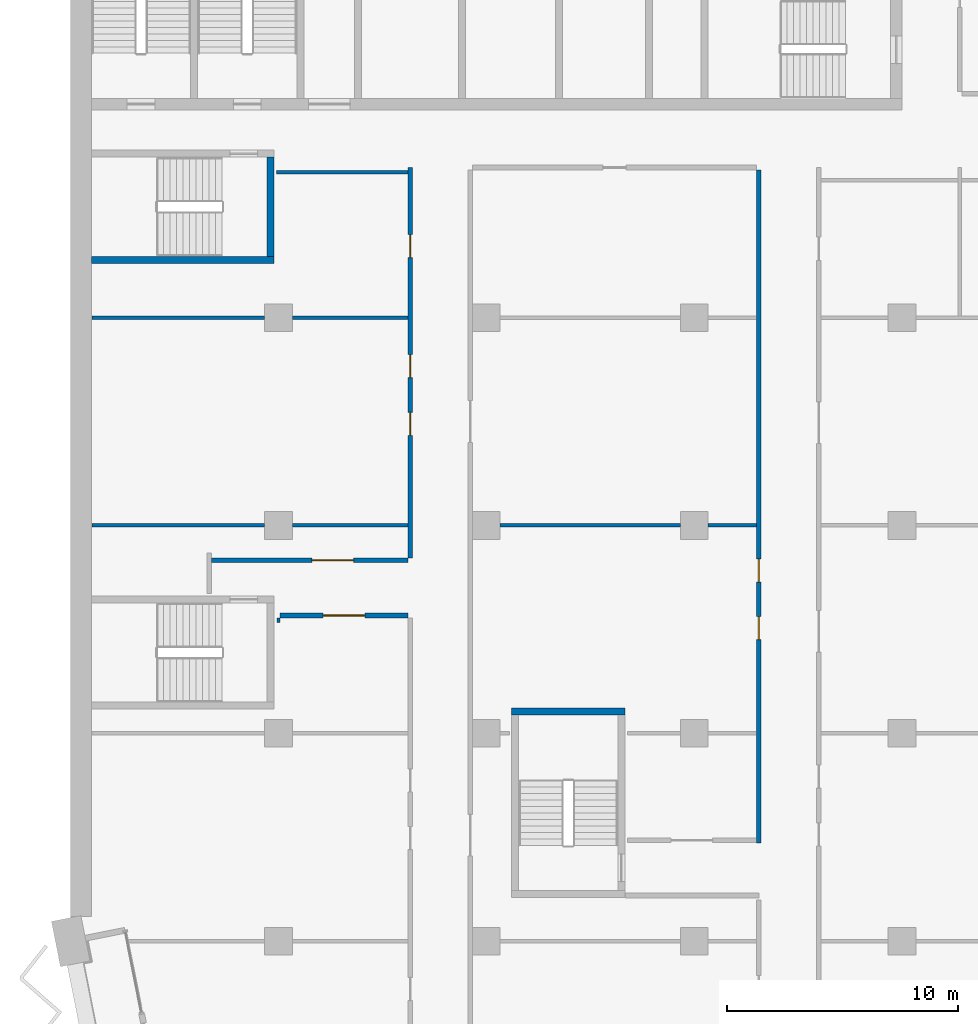
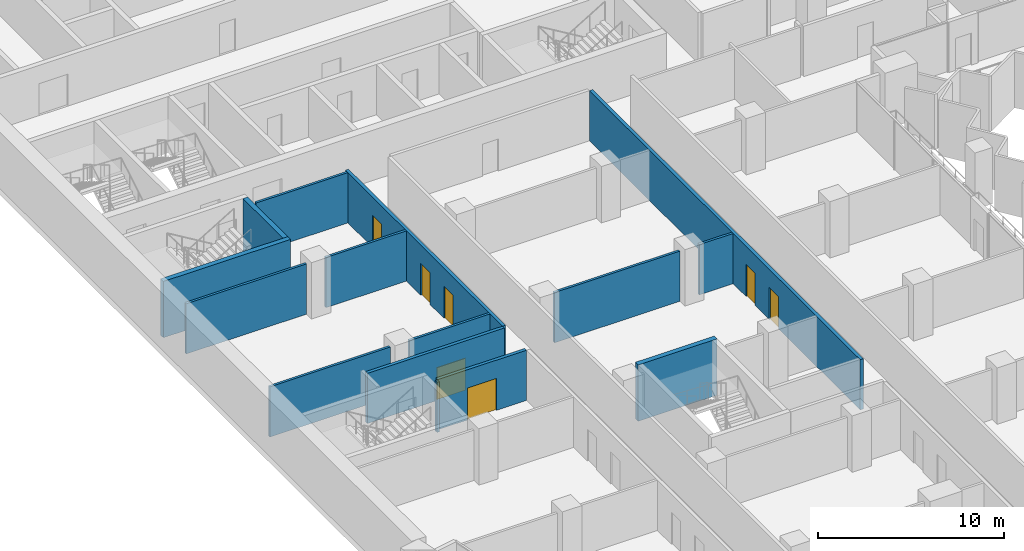
# One storey, part 10 of 22: 15 walls, 7 doors, 7 openings.
"""IFC4 building model written with IfcOpenShell, lengths in metres."""

from ifc_helpers import new_model, si_unit, direction, frame, frame_2d, origin, place, context, subcontext, project, spatial, rectangle, extrude, material, layer, layer_set, type_object, element, fill, save


model = new_model("IFC4")

# Units and contexts
model_context = context("Model", 3, precision=1e-05, world=origin(), true_north=direction((0.0, 1.0)))
body_context = subcontext(model_context, "Body", "Model", "MODEL_VIEW")
ifc_project = project(units=[si_unit("LENGTHUNIT", "METRE"), si_unit("AREAUNIT", "SQUARE_METRE"), si_unit("VOLUMEUNIT", "CUBIC_METRE"), si_unit("PLANEANGLEUNIT", "RADIAN"), si_unit("MASSUNIT", "GRAM", prefix="KILO")], contexts=[model_context])

# Site, building, storey
site_placement = place(None, origin())
site = spatial("IfcSite", under=ifc_project, at=site_placement, CompositionType="ELEMENT")
building_placement = place(site_placement, origin())
building = spatial("IfcBuilding", under=site, at=building_placement, Name="Hunhe Ridgeline Campus", CompositionType="ELEMENT")
storey_placement = place(building_placement, frame((0.0, 0.0, 156.0)))
storey = spatial("IfcBuildingStorey", under=building, at=storey_placement, Name="L39", CompositionType="ELEMENT", Elevation=156.0)

# Wall, opening, door
ifc_material_1 = material(Name="Gypsum board partition")
ifc_layer_1 = layer(ifc_material_1, 0.199951171875)
ifc_layer_set_1 = layer_set([ifc_layer_1], Name="Corridor partition 200 gypsum board on steel studs")
wall_type_1 = type_object("IfcWallType", Name="Corridor partition 200 gypsum board on steel studs", PredefinedType="PARTITIONING", material=ifc_layer_set_1)
wall_1_placement = place(storey_placement, frame((14.60009765625, 41.10009765625, 0.0), z_axis=(0.0, 0.0, 1.0), x_axis=(-1.0, 0.0, 0.0)))
wall_1 = element("IfcWall", 1, at=wall_1_placement, inside=storey, type_object=wall_type_1, Name="F-L39-wall-022", PredefinedType="PARTITIONING", context=body_context, shape_type="SweptSolid", body=[
    extrude(rectangle(XDim=5.525146484375, YDim=0.199951171875, at=frame_2d((2.7626953125, 0.0))), origin(), (0.0, 0.0, 1.0), 3.300048828125),
])
opening_1_placement = place(wall_1_placement, frame((1.862548828125, 0.0, 0.0)))
opening_1 = element("IfcOpeningElement", 2, at=opening_1_placement, cuts=wall_1, Name="Opening RD2-017", PredefinedType="OPENING", context=body_context, shape_type="SweptSolid", body=[
    extrude(rectangle(XDim=1.800048828125, YDim=2.10009765625, at=frame_2d((0.89990234375, 1.050048828125))), frame((0.0, 0.10009765625, 0.0), z_axis=(0.0, -1.0, 0.0), x_axis=(1.0, 0.0, 0.0)), (0.0, 0.0, 1.0), 0.199951171875),
])
ifc_material_2 = material(Name="Timber door leaf", Category="wood")
door_type_1 = type_object("IfcDoorType", Name="Double fire door 1800x2100 timber FD60", OperationType="DOUBLE_DOOR_SINGLE_SWING", PredefinedType="DOOR", material=ifc_material_2)
door_1_placement = place(opening_1_placement, origin())
door_1 = element("IfcDoor", 3, at=door_1_placement, inside=storey, type_object=door_type_1, Name="F-L39-door-017", OperationType="DOUBLE_DOOR_SINGLE_SWING", OverallHeight=2.10009765625, OverallWidth=1.800048828125, PredefinedType="DOOR", context=body_context, shape_type="SweptSolid", body=[
    extrude(rectangle(XDim=1.800048828125, YDim=2.10009765625, at=frame_2d((0.89990234375, 1.050048828125))), frame((0.0, 0.02490234375, 0.0), z_axis=(0.0, -1.0, 0.0), x_axis=(1.0, 0.0, 0.0)), (0.0, 0.0, 1.0), 0.050048828125),
])
fill(opening_1, door_1)

wall_2_placement = place(storey_placement, frame((6.10009765625, 43.5, 0.0), z_axis=(0.0, 0.0, 1.0), x_axis=(1.0, 0.0, 0.0)))
wall_2 = element("IfcWall", 4, at=wall_2_placement, inside=storey, type_object=wall_type_1, Name="F-L39-wall-023", PredefinedType="PARTITIONING", context=body_context, shape_type="SweptSolid", body=[
    extrude(rectangle(XDim=8.5, YDim=0.199951171875, at=frame_2d((4.25, 0.0))), origin(), (0.0, 0.0, 1.0), 3.300048828125),
])
opening_2_placement = place(wall_2_placement, frame((4.35009765625, 0.0, 0.0)))
opening_2 = element("IfcOpeningElement", 5, at=opening_2_placement, cuts=wall_2, Name="Opening RD2-019", PredefinedType="OPENING", context=body_context, shape_type="SweptSolid", body=[
    extrude(rectangle(XDim=1.800048828125, YDim=2.10009765625, at=frame_2d((0.89990234375, 1.050048828125))), frame((0.0, 0.10009765625, 0.0), z_axis=(0.0, -1.0, 0.0), x_axis=(1.0, 0.0, 0.0)), (0.0, 0.0, 1.0), 0.199951171875),
])
door_2_placement = place(opening_2_placement, origin())
door_2 = element("IfcDoor", 6, at=door_2_placement, inside=storey, type_object=door_type_1, Name="F-L39-door-019", OperationType="DOUBLE_DOOR_SINGLE_SWING", OverallHeight=2.10009765625, OverallWidth=1.800048828125, PredefinedType="DOOR", context=body_context, shape_type="SweptSolid", body=[
    extrude(rectangle(XDim=1.800048828125, YDim=2.10009765625, at=frame_2d((0.89990234375, 1.050048828125))), frame((0.0, 0.02490234375, 0.0), z_axis=(0.0, -1.0, 0.0), x_axis=(1.0, 0.0, 0.0)), (0.0, 0.0, 1.0), 0.050048828125),
])
fill(opening_2, door_2)

# Wall, openings, doors
wall_3_placement = place(storey_placement, frame((14.699951171875, 43.60009765625, 0.0), z_axis=(0.0, 0.0, 1.0), x_axis=(0.0, 1.0, 0.0)))
wall_3 = element("IfcWall", 7, at=wall_3_placement, inside=storey, type_object=wall_type_1, Name="F-L39-wall-058", PredefinedType="PARTITIONING", context=body_context, shape_type="SweptSolid", body=[
    extrude(rectangle(XDim=16.89990234375, YDim=0.199951171875, at=frame_2d((8.449951171875, 0.0))), origin(), (0.0, 0.0, 1.0), 3.300048828125),
])
opening_3_placement = place(wall_3_placement, frame((5.301513671875, 0.0, 0.0)))
opening_3 = element("IfcOpeningElement", 8, at=opening_3_placement, cuts=wall_3, Name="Opening RD1-020", PredefinedType="OPENING", context=body_context, shape_type="SweptSolid", body=[
    extrude(rectangle(XDim=1.0, YDim=2.10009765625, at=frame_2d((0.5, 1.050048828125))), frame((0.0, 0.10009765625, 0.0), z_axis=(0.0, -1.0, 0.0), x_axis=(1.0, 0.0, 0.0)), (0.0, 0.0, 1.0), 0.199951171875),
])
opening_4_placement = place(wall_3_placement, frame((7.801513671875, 0.0, 0.0)))
opening_4 = element("IfcOpeningElement", 9, at=opening_4_placement, cuts=wall_3, Name="Opening RD1-023", PredefinedType="OPENING", context=body_context, shape_type="SweptSolid", body=[
    extrude(rectangle(XDim=1.0, YDim=2.10009765625, at=frame_2d((0.5, 1.050048828125))), frame((0.0, 0.10009765625, 0.0), z_axis=(0.0, -1.0, 0.0), x_axis=(1.0, 0.0, 0.0)), (0.0, 0.0, 1.0), 0.199951171875),
])
opening_5_placement = place(wall_3_placement, frame((12.994873046875, 0.0, 0.0)))
opening_5 = element("IfcOpeningElement", 10, at=opening_5_placement, cuts=wall_3, Name="Opening RD1-025", PredefinedType="OPENING", context=body_context, shape_type="SweptSolid", body=[
    extrude(rectangle(XDim=1.0, YDim=2.10009765625, at=frame_2d((0.5, 1.050048828125))), frame((0.0, 0.10009765625, 0.0), z_axis=(0.0, -1.0, 0.0), x_axis=(1.0, 0.0, 0.0)), (0.0, 0.0, 1.0), 0.199951171875),
])
door_type_2 = type_object("IfcDoorType", Name="Single fire door 1000x2100 timber FD60", OperationType="NOTDEFINED", PredefinedType="DOOR", material=ifc_material_2)
door_3_placement = place(opening_3_placement, frame((1.0, 0.0, 0.0), z_axis=(0.0, 0.0, 1.0), x_axis=(-1.0, 0.0, 0.0)))
door_3 = element("IfcDoor", 11, at=door_3_placement, inside=storey, type_object=door_type_2, Name="F-L39-door-020", OperationType="SINGLE_SWING_LEFT", OverallHeight=2.10009765625, OverallWidth=1.0, PredefinedType="DOOR", context=body_context, shape_type="SweptSolid", body=[
    extrude(rectangle(XDim=1.0, YDim=2.10009765625, at=frame_2d((0.5, 1.050048828125))), frame((0.0, 0.02490234375, 0.0), z_axis=(0.0, -1.0, 0.0), x_axis=(1.0, 0.0, 0.0)), (0.0, 0.0, 1.0), 0.050048828125),
])
fill(opening_3, door_3)
door_4_placement = place(opening_4_placement, frame((1.0, 0.0, 0.0), z_axis=(0.0, 0.0, 1.0), x_axis=(-1.0, 0.0, 0.0)))
door_4 = element("IfcDoor", 12, at=door_4_placement, inside=storey, type_object=door_type_2, Name="F-L39-door-023", OperationType="SINGLE_SWING_LEFT", OverallHeight=2.10009765625, OverallWidth=1.0, PredefinedType="DOOR", context=body_context, shape_type="SweptSolid", body=[
    extrude(rectangle(XDim=1.0, YDim=2.10009765625, at=frame_2d((0.5, 1.050048828125))), frame((0.0, 0.02490234375, 0.0), z_axis=(0.0, -1.0, 0.0), x_axis=(1.0, 0.0, 0.0)), (0.0, 0.0, 1.0), 0.050048828125),
])
fill(opening_4, door_4)
door_5_placement = place(opening_5_placement, origin())
door_5 = element("IfcDoor", 13, at=door_5_placement, inside=storey, type_object=door_type_2, Name="F-L39-door-025", OperationType="SINGLE_SWING_LEFT", OverallHeight=2.10009765625, OverallWidth=1.0, PredefinedType="DOOR", context=body_context, shape_type="SweptSolid", body=[
    extrude(rectangle(XDim=1.0, YDim=2.10009765625, at=frame_2d((0.5, 1.050048828125))), frame((0.0, 0.02490234375, 0.0), z_axis=(0.0, -1.0, 0.0), x_axis=(1.0, 0.0, 0.0)), (0.0, 0.0, 1.0), 0.050048828125),
])
fill(opening_5, door_5)

wall_4_placement = place(storey_placement, frame((29.800048828125, 31.255859375, 0.0), z_axis=(0.0, 0.0, 1.0), x_axis=(0.0, 1.0, 0.0)))
wall_4 = element("IfcWall", 14, at=wall_4_placement, inside=storey, type_object=wall_type_1, Name="F-L39-wall-061", PredefinedType="PARTITIONING", context=body_context, shape_type="SweptSolid", body=[
    extrude(rectangle(XDim=29.14404296875, YDim=0.199951171875, at=frame_2d((14.572021484375, 0.0))), origin(), (0.0, 0.0, 1.0), 3.300048828125),
])
opening_6_placement = place(wall_4_placement, frame((8.7958984375, 0.0, 0.0)))
opening_6 = element("IfcOpeningElement", 15, at=opening_6_placement, cuts=wall_4, Name="Opening RD1-016", PredefinedType="OPENING", context=body_context, shape_type="SweptSolid", body=[
    extrude(rectangle(XDim=1.0, YDim=2.10009765625, at=frame_2d((0.5, 1.050048828125))), frame((0.0, 0.10009765625, 0.0), z_axis=(0.0, -1.0, 0.0), x_axis=(1.0, 0.0, 0.0)), (0.0, 0.0, 1.0), 0.199951171875),
])
opening_7_placement = place(wall_4_placement, frame((11.2958984375, 0.0, 0.0)))
opening_7 = element("IfcOpeningElement", 16, at=opening_7_placement, cuts=wall_4, Name="Opening RD1-018", PredefinedType="OPENING", context=body_context, shape_type="SweptSolid", body=[
    extrude(rectangle(XDim=1.0, YDim=2.10009765625, at=frame_2d((0.5, 1.050048828125))), frame((0.0, 0.10009765625, 0.0), z_axis=(0.0, -1.0, 0.0), x_axis=(1.0, 0.0, 0.0)), (0.0, 0.0, 1.0), 0.199951171875),
])
door_6_placement = place(opening_6_placement, frame((1.0, 0.0, 0.0), z_axis=(0.0, 0.0, 1.0), x_axis=(-1.0, 0.0, 0.0)))
door_6 = element("IfcDoor", 17, at=door_6_placement, inside=storey, type_object=door_type_2, Name="F-L39-door-016", OperationType="SINGLE_SWING_RIGHT", OverallHeight=2.10009765625, OverallWidth=1.0, PredefinedType="DOOR", context=body_context, shape_type="SweptSolid", body=[
    extrude(rectangle(XDim=1.0, YDim=2.10009765625, at=frame_2d((0.5, 1.050048828125))), frame((0.0, 0.02490234375, 0.0), z_axis=(0.0, -1.0, 0.0), x_axis=(1.0, 0.0, 0.0)), (0.0, 0.0, 1.0), 0.050048828125),
])
fill(opening_6, door_6)
door_7_placement = place(opening_7_placement, frame((1.0, 0.0, 0.0), z_axis=(0.0, 0.0, 1.0), x_axis=(-1.0, 0.0, 0.0)))
door_7 = element("IfcDoor", 18, at=door_7_placement, inside=storey, type_object=door_type_2, Name="F-L39-door-018", OperationType="SINGLE_SWING_LEFT", OverallHeight=2.10009765625, OverallWidth=1.0, PredefinedType="DOOR", context=body_context, shape_type="SweptSolid", body=[
    extrude(rectangle(XDim=1.0, YDim=2.10009765625, at=frame_2d((0.5, 1.050048828125))), frame((0.0, 0.02490234375, 0.0), z_axis=(0.0, -1.0, 0.0), x_axis=(1.0, 0.0, 0.0)), (0.0, 0.0, 1.0), 0.050048828125),
])
fill(opening_7, door_7)

# Walls
ifc_layer_2 = layer(ifc_material_1, 0.14990234375)
ifc_layer_set_2 = layer_set([ifc_layer_2], Name="Room partition 150 gypsum board on steel studs")
wall_type_2 = type_object("IfcWallType", Name="Room partition 150 gypsum board on steel studs", PredefinedType="PARTITIONING", material=ifc_layer_set_2)
wall_5_placement = place(storey_placement, frame((0.919921875, 45.0, 0.0), z_axis=(0.0, 0.0, 1.0), x_axis=(1.0, 0.0, 0.0)))
element("IfcWall", 19, at=wall_5_placement, inside=storey, type_object=wall_type_2, Name="F-L39-wall-024", PredefinedType="PARTITIONING", context=body_context, shape_type="SweptSolid", body=[
    extrude(rectangle(XDim=7.47998046875, YDim=0.14990234375, at=frame_2d((3.739990234375, 0.0))), origin(), (0.0, 0.0, 1.0), 3.300048828125),
])
wall_6_placement = place(storey_placement, frame((9.60009765625, 45.0, 0.0), z_axis=(0.0, 0.0, 1.0), x_axis=(1.0, 0.0, 0.0)))
element("IfcWall", 20, at=wall_6_placement, inside=storey, type_object=wall_type_2, Name="F-L39-wall-025", PredefinedType="PARTITIONING", context=body_context, shape_type="SweptSolid", body=[
    extrude(rectangle(XDim=5.0, YDim=0.14990234375, at=frame_2d((2.5, 0.0))), origin(), (0.0, 0.0, 1.0), 3.300048828125),
])
wall_7_placement = place(storey_placement, frame((18.60009765625, 45.0, 0.0), z_axis=(0.0, 0.0, 1.0), x_axis=(1.0, 0.0, 0.0)))
element("IfcWall", 21, at=wall_7_placement, inside=storey, type_object=wall_type_2, Name="F-L39-wall-026", PredefinedType="PARTITIONING", context=body_context, shape_type="SweptSolid", body=[
    extrude(rectangle(XDim=7.7998046875, YDim=0.14990234375, at=frame_2d((3.89990234375, 0.0))), origin(), (0.0, 0.0, 1.0), 3.300048828125),
])
wall_8_placement = place(storey_placement, frame((27.60009765625, 45.0, 0.0), z_axis=(0.0, 0.0, 1.0), x_axis=(1.0, 0.0, 0.0)))
element("IfcWall", 22, at=wall_8_placement, inside=storey, type_object=wall_type_2, Name="F-L39-wall-027", PredefinedType="PARTITIONING", context=body_context, shape_type="SweptSolid", body=[
    extrude(rectangle(XDim=2.099853515625, YDim=0.14990234375, at=frame_2d((1.0498046875, 0.0))), origin(), (0.0, 0.0, 1.0), 3.300048828125),
])
wall_9_placement = place(storey_placement, frame((0.919921875, 54.0, 0.0), z_axis=(0.0, 0.0, 1.0), x_axis=(1.0, 0.0, 0.0)))
element("IfcWall", 23, at=wall_9_placement, inside=storey, type_object=wall_type_2, Name="F-L39-wall-030", PredefinedType="PARTITIONING", context=body_context, shape_type="SweptSolid", body=[
    extrude(rectangle(XDim=7.47998046875, YDim=0.14990234375, at=frame_2d((3.739990234375, 0.0))), origin(), (0.0, 0.0, 1.0), 3.300048828125),
])
wall_10_placement = place(storey_placement, frame((9.60009765625, 54.0, 0.0), z_axis=(0.0, 0.0, 1.0), x_axis=(1.0, 0.0, 0.0)))
element("IfcWall", 24, at=wall_10_placement, inside=storey, type_object=wall_type_2, Name="F-L39-wall-031", PredefinedType="PARTITIONING", context=body_context, shape_type="SweptSolid", body=[
    extrude(rectangle(XDim=5.0, YDim=0.14990234375, at=frame_2d((2.5, 0.0))), origin(), (0.0, 0.0, 1.0), 3.300048828125),
])
wall_11_placement = place(storey_placement, frame((8.904052734375, 60.300048828125, 0.0), z_axis=(0.0, 0.0, 1.0), x_axis=(1.0, 0.0, 0.0)))
element("IfcWall", 25, at=wall_11_placement, inside=storey, type_object=wall_type_2, Name="F-L39-wall-040", PredefinedType="PARTITIONING", context=body_context, shape_type="SweptSolid", body=[
    extrude(rectangle(XDim=5.696044921875, YDim=0.14990234375, at=frame_2d((2.84814453125, 0.0))), origin(), (0.0, 0.0, 1.0), 3.300048828125),
])
wall_12_placement = place(storey_placement, frame((9.0, 41.0, 0.0), z_axis=(0.0, 0.0, 1.0), x_axis=(0.0, -1.0, 0.0)))
element("IfcWall", 26, at=wall_12_placement, inside=storey, type_object=wall_type_2, Name="F-L39-wall-056", PredefinedType="PARTITIONING", context=body_context, shape_type="SweptSolid", body=[
    extrude(rectangle(XDim=0.199951171875, YDim=0.14990234375, at=frame_2d((0.10009765625, 0.0))), origin(), (0.0, 0.0, 1.0), 3.300048828125),
])
ifc_material_3 = material(Name="Concrete C70", Category="concrete")
ifc_layer_3 = layer(ifc_material_3, 0.300048828125)
ifc_layer_set_3 = layer_set([ifc_layer_3], Name="Stair wall 300 reinforced concrete C70")
wall_type_3 = type_object("IfcWallType", Name="Stair wall 300 reinforced concrete C70", PredefinedType="SOLIDWALL", material=ifc_layer_set_3)
wall_13_placement = place(storey_placement, frame((19.10009765625, 36.949951171875, -0.39990234375), z_axis=(0.0, 0.0, 1.0), x_axis=(1.0, 0.0, 0.0)))
element("IfcWall", 27, at=wall_13_placement, inside=storey, type_object=wall_type_3, Name="L39 core wall 2", PredefinedType="SOLIDWALL", context=body_context, shape_type="SweptSolid", body=[
    extrude(rectangle(XDim=4.89990234375, YDim=0.300048828125, at=frame_2d((2.449951171875, 0.0))), origin(), (0.0, 0.0, 1.0), 3.699951171875),
])
wall_14_placement = place(storey_placement, frame((0.89990234375, 56.5, -0.39990234375), z_axis=(0.0, 0.0, 1.0), x_axis=(1.0, 0.0, 0.0)))
element("IfcWall", 28, at=wall_14_placement, inside=storey, type_object=wall_type_3, Name="L39 core wall 5", PredefinedType="SOLIDWALL", context=body_context, shape_type="SweptSolid", body=[
    extrude(rectangle(XDim=7.900146484375, YDim=0.300048828125, at=frame_2d((3.9501953125, 0.0))), origin(), (0.0, 0.0, 1.0), 3.699951171875),
])
wall_15_placement = place(storey_placement, frame((8.64990234375, 56.64990234375, -0.39990234375), z_axis=(0.0, 0.0, 1.0), x_axis=(0.0, 1.0, 0.0)))
element("IfcWall", 29, at=wall_15_placement, inside=storey, type_object=wall_type_3, Name="L39 core wall 37", PredefinedType="SOLIDWALL", context=body_context, shape_type="SweptSolid", body=[
    extrude(rectangle(XDim=4.300048828125, YDim=0.300048828125, at=frame_2d((2.14990234375, 0.0))), origin(), (0.0, 0.0, 1.0), 3.699951171875),
])

save(model, "model.ifc")
